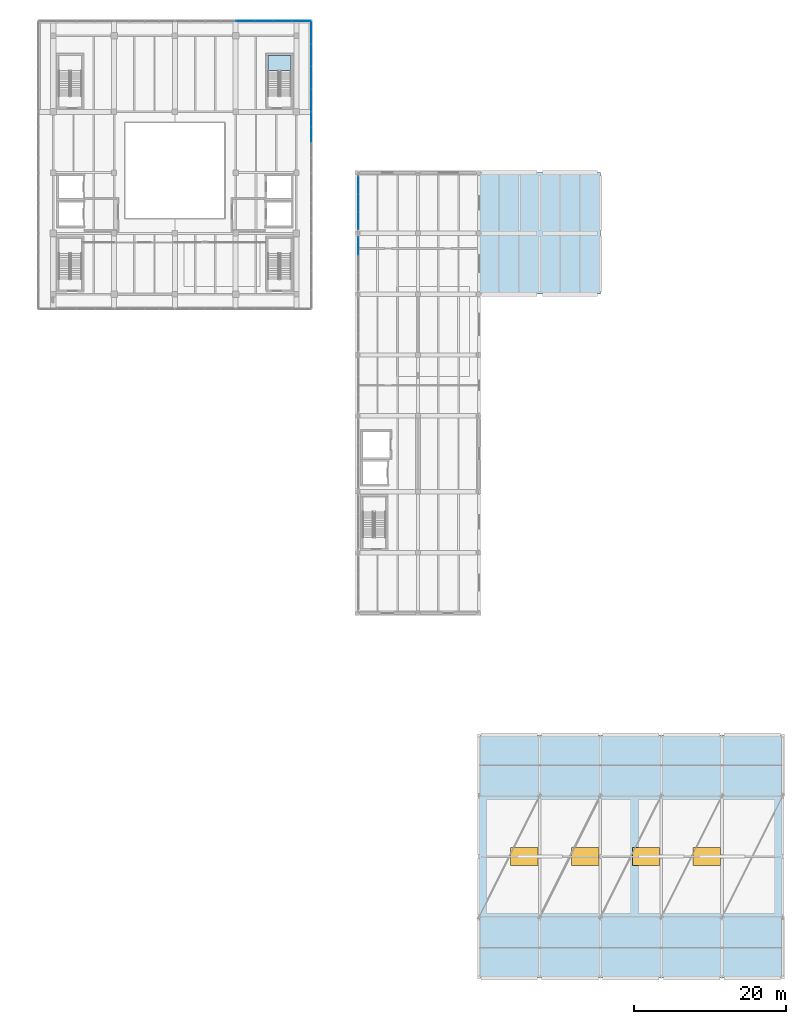
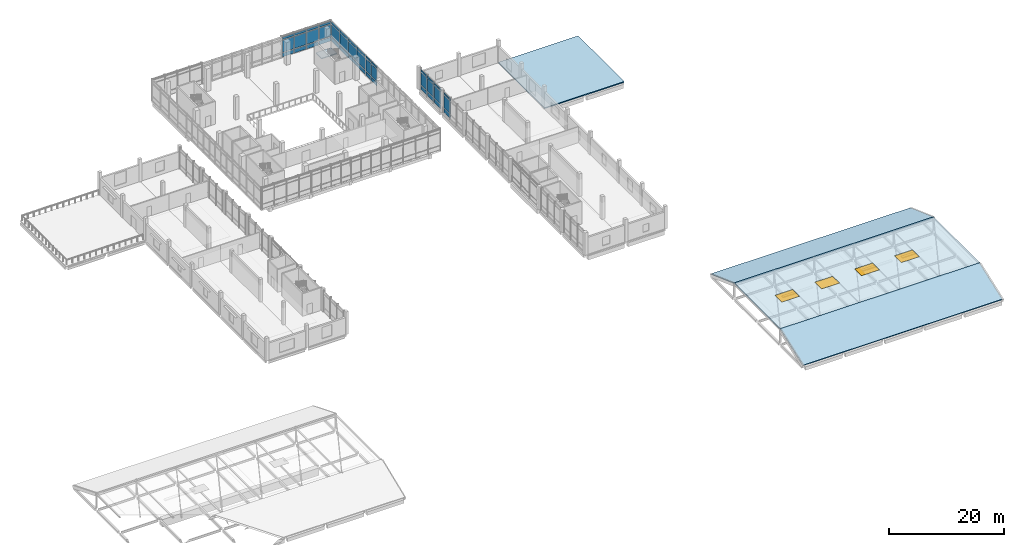
# One storey, part 30 of 47: 42 plates, 5 slabs, 4 windows, 4 openings, 6 elements without a shape of their own.
"""IFC4 building model written with IfcOpenShell, lengths in metres."""

from ifc_helpers import new_model, si_unit, direction, frame, origin, origin_2d, place, context, subcontext, project, spatial, polyline, rectangle, outline, extrude, material, layer, layer_set, type_object, element, fill, aggregate, save


model = new_model("IFC4")

# Units and contexts
model_context = context("Model", 3, precision=1e-05, world=origin(), true_north=direction((0.0, 1.0)))
body_context = subcontext(model_context, "Body", "Model", "MODEL_VIEW")
ifc_project = project(units=[si_unit("LENGTHUNIT", "METRE"), si_unit("AREAUNIT", "SQUARE_METRE"), si_unit("VOLUMEUNIT", "CUBIC_METRE"), si_unit("PLANEANGLEUNIT", "RADIAN"), si_unit("MASSUNIT", "GRAM", prefix="KILO")], contexts=[model_context])

# Site, building, storey
site_placement = place(None, origin())
site = spatial("IfcSite", under=ifc_project, at=site_placement, CompositionType="ELEMENT")
building_placement = place(site_placement, origin())
building = spatial("IfcBuilding", under=site, at=building_placement, Name="Pecanmere Concourse Central Library", CompositionType="ELEMENT")
storey_placement = place(building_placement, frame((0.0, 0.0, 15.300048828125)))
storey = spatial("IfcBuildingStorey", under=building, at=storey_placement, Name="L04", CompositionType="ELEMENT", Elevation=15.300048828125)

# Curtain wall, plates
ifc_material_1 = material(Name="Anodized bronze aluminium alloy 6063-T6", Category="aluminium")
curtain_wall_type_1 = type_object("IfcCurtainWallType", Name="CW_PLUMB_BANDED", PredefinedType="USERDEFINED", material=ifc_material_1)
curtain_wall_1_placement = place(storey_placement, origin())
curtain_wall_1 = element("IfcCurtainWall", 1, at=curtain_wall_1_placement, inside=storey, type_object=curtain_wall_type_1, Name="Unitised Curtain Wall CW-02 L04-038", ObjectType="UNITISED CURTAIN WALL", PredefinedType="USERDEFINED")
ifc_material_2 = material(Name="White ceramic-fritted insulated spandrel glazing", Category="glass")
ifc_layer_1 = layer(ifc_material_2, 0.053955078125, Name="CWP_SPN_54")
ifc_layer_set_1 = layer_set([ifc_layer_1], Name="White ceramic-fritted insulated spandrel glazing")
plate_type_1 = type_object("IfcPlateType", Name="CWP_SPN_54", PredefinedType="CURTAIN_PANEL", material=ifc_layer_set_1)
plate_1_placement = place(storey_placement, frame((104.665771484375, 125.96142578125, 0.159912109375), z_axis=(0.0, 0.0, 1.0), x_axis=(-1.0, 0.0, 0.0)))
plate_1 = element("IfcPlate", 2, at=plate_1_placement, type_object=plate_type_1, Name="CW-02 Spandrel Panel 1.1", PredefinedType="CURTAIN_PANEL", context=body_context, shape_type="SweptSolid", body=[
    extrude(rectangle(XDim=2.381591796875, YDim=0.035888671875, at=origin_2d()), origin(), (0.0, 0.0, 1.0), 0.81005859375),
])
plate_2_placement = place(storey_placement, frame((102.202880859375, 125.96142578125, 0.159912109375), z_axis=(0.0, 0.0, 1.0), x_axis=(-1.0, 0.0, 0.0)))
plate_2 = element("IfcPlate", 3, at=plate_2_placement, type_object=plate_type_1, Name="CW-02 Spandrel Panel 2.1", PredefinedType="CURTAIN_PANEL", context=body_context, shape_type="SweptSolid", body=[
    extrude(rectangle(XDim=2.4140625, YDim=0.035888671875, at=origin_2d()), origin(), (0.0, 0.0, 1.0), 0.81005859375),
])
plate_3_placement = place(storey_placement, frame((99.7236328125, 125.96142578125, 0.159912109375), z_axis=(0.0, 0.0, 1.0), x_axis=(-1.0, 0.0, 0.0)))
plate_3 = element("IfcPlate", 4, at=plate_3_placement, type_object=plate_type_1, Name="CW-02 Spandrel Panel 3.1", PredefinedType="CURTAIN_PANEL", context=body_context, shape_type="SweptSolid", body=[
    extrude(rectangle(XDim=2.4140625, YDim=0.035888671875, at=origin_2d()), origin(), (0.0, 0.0, 1.0), 0.81005859375),
])
plate_4_placement = place(storey_placement, frame((97.2607421875, 125.96142578125, 0.159912109375), z_axis=(0.0, 0.0, 1.0), x_axis=(-1.0, 0.0, 0.0)))
plate_4 = element("IfcPlate", 5, at=plate_4_placement, type_object=plate_type_1, Name="CW-02 Spandrel Panel 4.1", PredefinedType="CURTAIN_PANEL", context=body_context, shape_type="SweptSolid", body=[
    extrude(rectangle(XDim=2.381591796875, YDim=0.035888671875, at=origin_2d()), origin(), (0.0, 0.0, 1.0), 0.81005859375),
])

curtain_wall_2_placement = place(storey_placement, origin())
curtain_wall_2 = element("IfcCurtainWall", 6, at=curtain_wall_2_placement, inside=storey, type_object=curtain_wall_type_1, Name="Unitised Curtain Wall CW-02 L04-048", ObjectType="UNITISED CURTAIN WALL", PredefinedType="USERDEFINED")
plate_5_placement = place(storey_placement, frame((105.96142578125, 110.998779296875, 0.159912109375), z_axis=(0.0, 0.0, 1.0), x_axis=(0.0, 1.0, 0.0)))
plate_5 = element("IfcPlate", 7, at=plate_5_placement, type_object=plate_type_1, Name="CW-02 Spandrel Panel 3.1", PredefinedType="CURTAIN_PANEL", context=body_context, shape_type="SweptSolid", body=[
    extrude(rectangle(XDim=1.9326171875, YDim=0.035888671875, at=origin_2d()), origin(), (0.0, 0.0, 1.0), 0.81005859375),
])
plate_6_placement = place(storey_placement, frame((105.96142578125, 112.97998046875, 0.159912109375), z_axis=(0.0, 0.0, 1.0), x_axis=(0.0, 1.0, 0.0)))
plate_6 = element("IfcPlate", 8, at=plate_6_placement, type_object=plate_type_1, Name="CW-02 Spandrel Panel 4.1", PredefinedType="CURTAIN_PANEL", context=body_context, shape_type="SweptSolid", body=[
    extrude(rectangle(XDim=1.89990234375, YDim=0.035888671875, at=origin_2d()), origin(), (0.0, 0.0, 1.0), 0.81005859375),
])

curtain_wall_3_placement = place(storey_placement, origin())
curtain_wall_3 = element("IfcCurtainWall", 9, at=curtain_wall_3_placement, inside=storey, type_object=curtain_wall_type_1, Name="Unitised Curtain Wall CW-02 L04-049", ObjectType="UNITISED CURTAIN WALL", PredefinedType="USERDEFINED")
plate_7_placement = place(storey_placement, frame((105.96142578125, 115.5107421875, 0.159912109375), z_axis=(0.0, 0.0, 1.0), x_axis=(0.0, 1.0, 0.0)))
plate_7 = element("IfcPlate", 10, at=plate_7_placement, type_object=plate_type_1, Name="CW-02 Spandrel Panel 1.1", PredefinedType="CURTAIN_PANEL", context=body_context, shape_type="SweptSolid", body=[
    extrude(rectangle(XDim=2.881591796875, YDim=0.035888671875, at=origin_2d()), origin(), (0.0, 0.0, 1.0), 0.81005859375),
])
plate_8_placement = place(storey_placement, frame((105.96142578125, 118.4736328125, 0.159912109375), z_axis=(0.0, 0.0, 1.0), x_axis=(0.0, 1.0, 0.0)))
plate_8 = element("IfcPlate", 11, at=plate_8_placement, type_object=plate_type_1, Name="CW-02 Spandrel Panel 2.1", PredefinedType="CURTAIN_PANEL", context=body_context, shape_type="SweptSolid", body=[
    extrude(rectangle(XDim=2.9140625, YDim=0.035888671875, at=origin_2d()), origin(), (0.0, 0.0, 1.0), 0.81005859375),
])
plate_9_placement = place(storey_placement, frame((105.96142578125, 121.452880859375, 0.159912109375), z_axis=(0.0, 0.0, 1.0), x_axis=(0.0, 1.0, 0.0)))
plate_9 = element("IfcPlate", 12, at=plate_9_placement, type_object=plate_type_1, Name="CW-02 Spandrel Panel 3.1", PredefinedType="CURTAIN_PANEL", context=body_context, shape_type="SweptSolid", body=[
    extrude(rectangle(XDim=2.9140625, YDim=0.035888671875, at=origin_2d()), origin(), (0.0, 0.0, 1.0), 0.81005859375),
])
plate_10_placement = place(storey_placement, frame((105.96142578125, 124.415771484375, 0.159912109375), z_axis=(0.0, 0.0, 1.0), x_axis=(0.0, 1.0, 0.0)))
plate_10 = element("IfcPlate", 13, at=plate_10_placement, type_object=plate_type_1, Name="CW-02 Spandrel Panel 4.1", PredefinedType="CURTAIN_PANEL", context=body_context, shape_type="SweptSolid", body=[
    extrude(rectangle(XDim=2.881591796875, YDim=0.035888671875, at=origin_2d()), origin(), (0.0, 0.0, 1.0), 0.81005859375),
])

# Curtain wall, plate
ifc_material_3 = material(Name="Clear anodized aluminium alloy 6063-T6", Category="aluminium")
curtain_wall_type_2 = type_object("IfcCurtainWallType", Name="CW_CLOISTER_GLAZ", PredefinedType="USERDEFINED", material=ifc_material_3)
curtain_wall_4_placement = place(storey_placement, origin())
curtain_wall_4 = element("IfcCurtainWall", 14, at=curtain_wall_4_placement, inside=storey, type_object=curtain_wall_type_2, Name="Unitised Curtain Wall CW-04 L04-149", ObjectType="UNITISED CURTAIN WALL", PredefinedType="USERDEFINED")
plate_11_placement = place(storey_placement, frame((112.14990234375, 96.331787109375, 0.139892578125), z_axis=(0.0, 0.0, 1.0), x_axis=(0.0, -1.0, 0.0)))
plate_11 = element("IfcPlate", 15, at=plate_11_placement, type_object=plate_type_1, Name="CW-04 Spandrel Panel 1.1", PredefinedType="CURTAIN_PANEL", context=body_context, shape_type="SweptSolid", body=[
    extrude(rectangle(XDim=2.256591796875, YDim=0.035888671875, at=origin_2d()), origin(), (0.0, 0.0, 1.0), 0.7900390625),
])

# Curtain wall, plates
curtain_wall_5_placement = place(storey_placement, origin())
curtain_wall_5 = element("IfcCurtainWall", 16, at=curtain_wall_5_placement, inside=storey, type_object=curtain_wall_type_2, Name="Unitised Curtain Wall CW-04 L04-151", ObjectType="UNITISED CURTAIN WALL", PredefinedType="USERDEFINED")
plate_12_placement = place(storey_placement, frame((112.14990234375, 104.331787109375, 0.139892578125), z_axis=(0.0, 0.0, 1.0), x_axis=(0.0, -1.0, 0.0)))
plate_12 = element("IfcPlate", 17, at=plate_12_placement, type_object=plate_type_1, Name="CW-04 Spandrel Panel 1.1", PredefinedType="CURTAIN_PANEL", context=body_context, shape_type="SweptSolid", body=[
    extrude(rectangle(XDim=2.256591796875, YDim=0.035888671875, at=origin_2d()), origin(), (0.0, 0.0, 1.0), 0.7900390625),
])
plate_13_placement = place(storey_placement, frame((112.14990234375, 102.0, 0.139892578125), z_axis=(0.0, 0.0, 1.0), x_axis=(0.0, -1.0, 0.0)))
plate_13 = element("IfcPlate", 18, at=plate_13_placement, type_object=plate_type_1, Name="CW-04 Spandrel Panel 2.1", PredefinedType="CURTAIN_PANEL", context=body_context, shape_type="SweptSolid", body=[
    extrude(rectangle(XDim=2.28662109375, YDim=0.035888671875, at=origin_2d()), origin(), (0.0, 0.0, 1.0), 0.7900390625),
])
plate_14_placement = place(storey_placement, frame((112.14990234375, 99.668212890625, 0.139892578125), z_axis=(0.0, 0.0, 1.0), x_axis=(0.0, -1.0, 0.0)))
plate_14 = element("IfcPlate", 19, at=plate_14_placement, type_object=plate_type_1, Name="CW-04 Spandrel Panel 3.1", PredefinedType="CURTAIN_PANEL", context=body_context, shape_type="SweptSolid", body=[
    extrude(rectangle(XDim=2.256591796875, YDim=0.035888671875, at=origin_2d()), origin(), (0.0, 0.0, 1.0), 0.7900390625),
])

# Plate
ifc_material_4 = material(Name="Low-iron clear insulated glazing", Category="glass")
ifc_layer_2 = layer(ifc_material_4, 0.035888671875, Name="CWP_VIS_36")
ifc_layer_set_2 = layer_set([ifc_layer_2], Name="Low-iron clear insulated glazing")
plate_type_2 = type_object("IfcPlateType", Name="CWP_VIS_36", PredefinedType="CURTAIN_PANEL", material=ifc_layer_set_2)
plate_15_placement = place(storey_placement, frame((104.665771484375, 125.96142578125, 1.1298828125), z_axis=(0.0, 0.0, 1.0), x_axis=(-1.0, 0.0, 0.0)))
plate_15 = element("IfcPlate", 20, at=plate_15_placement, type_object=plate_type_2, Name="CW-02 Vision Panel 1.2", PredefinedType="CURTAIN_PANEL", context=body_context, shape_type="SweptSolid", body=[
    extrude(rectangle(XDim=2.381591796875, YDim=0.035888671875, at=origin_2d()), origin(), (0.0, 0.0, 1.0), 2.56005859375),
])

plate_16_placement = place(storey_placement, frame((104.665771484375, 125.96142578125, 3.85009765625), z_axis=(0.0, 0.0, 1.0), x_axis=(-1.0, 0.0, 0.0)))
plate_16 = element("IfcPlate", 21, at=plate_16_placement, type_object=plate_type_2, Name="CW-02 Vision Panel 1.3", PredefinedType="CURTAIN_PANEL", context=body_context, shape_type="SweptSolid", body=[
    extrude(rectangle(XDim=2.381591796875, YDim=0.035888671875, at=origin_2d()), origin(), (0.0, 0.0, 1.0), 0.510009765625),
])

plate_17_placement = place(storey_placement, frame((102.202880859375, 125.96142578125, 1.1298828125), z_axis=(0.0, 0.0, 1.0), x_axis=(-1.0, 0.0, 0.0)))
plate_17 = element("IfcPlate", 22, at=plate_17_placement, type_object=plate_type_2, Name="CW-02 Vision Panel 2.2", PredefinedType="CURTAIN_PANEL", context=body_context, shape_type="SweptSolid", body=[
    extrude(rectangle(XDim=2.4140625, YDim=0.035888671875, at=origin_2d()), origin(), (0.0, 0.0, 1.0), 2.56005859375),
])

plate_18_placement = place(storey_placement, frame((102.202880859375, 125.96142578125, 3.85009765625), z_axis=(0.0, 0.0, 1.0), x_axis=(-1.0, 0.0, 0.0)))
plate_18 = element("IfcPlate", 23, at=plate_18_placement, type_object=plate_type_2, Name="CW-02 Vision Panel 2.3", PredefinedType="CURTAIN_PANEL", context=body_context, shape_type="SweptSolid", body=[
    extrude(rectangle(XDim=2.4140625, YDim=0.035888671875, at=origin_2d()), origin(), (0.0, 0.0, 1.0), 0.510009765625),
])

plate_19_placement = place(storey_placement, frame((99.7236328125, 125.96142578125, 1.1298828125), z_axis=(0.0, 0.0, 1.0), x_axis=(-1.0, 0.0, 0.0)))
plate_19 = element("IfcPlate", 24, at=plate_19_placement, type_object=plate_type_2, Name="CW-02 Vision Panel 3.2", PredefinedType="CURTAIN_PANEL", context=body_context, shape_type="SweptSolid", body=[
    extrude(rectangle(XDim=2.4140625, YDim=0.035888671875, at=origin_2d()), origin(), (0.0, 0.0, 1.0), 2.56005859375),
])

plate_20_placement = place(storey_placement, frame((99.7236328125, 125.96142578125, 3.85009765625), z_axis=(0.0, 0.0, 1.0), x_axis=(-1.0, 0.0, 0.0)))
plate_20 = element("IfcPlate", 25, at=plate_20_placement, type_object=plate_type_2, Name="CW-02 Vision Panel 3.3", PredefinedType="CURTAIN_PANEL", context=body_context, shape_type="SweptSolid", body=[
    extrude(rectangle(XDim=2.4140625, YDim=0.035888671875, at=origin_2d()), origin(), (0.0, 0.0, 1.0), 0.510009765625),
])

plate_21_placement = place(storey_placement, frame((97.2607421875, 125.96142578125, 1.1298828125), z_axis=(0.0, 0.0, 1.0), x_axis=(-1.0, 0.0, 0.0)))
plate_21 = element("IfcPlate", 26, at=plate_21_placement, type_object=plate_type_2, Name="CW-02 Vision Panel 4.2", PredefinedType="CURTAIN_PANEL", context=body_context, shape_type="SweptSolid", body=[
    extrude(rectangle(XDim=2.381591796875, YDim=0.035888671875, at=origin_2d()), origin(), (0.0, 0.0, 1.0), 2.56005859375),
])

plate_22_placement = place(storey_placement, frame((97.2607421875, 125.96142578125, 3.85009765625), z_axis=(0.0, 0.0, 1.0), x_axis=(-1.0, 0.0, 0.0)))
plate_22 = element("IfcPlate", 27, at=plate_22_placement, type_object=plate_type_2, Name="CW-02 Vision Panel 4.3", PredefinedType="CURTAIN_PANEL", context=body_context, shape_type="SweptSolid", body=[
    extrude(rectangle(XDim=2.381591796875, YDim=0.035888671875, at=origin_2d()), origin(), (0.0, 0.0, 1.0), 0.510009765625),
])

aggregate(curtain_wall_1, [plate_1, plate_15, plate_16, plate_2, plate_17, plate_18, plate_3, plate_19, plate_20, plate_4, plate_21, plate_22])

plate_23_placement = place(storey_placement, frame((105.96142578125, 110.998779296875, 1.1298828125), z_axis=(0.0, 0.0, 1.0), x_axis=(0.0, 1.0, 0.0)))
plate_23 = element("IfcPlate", 28, at=plate_23_placement, type_object=plate_type_2, Name="CW-02 Vision Panel 3.2", PredefinedType="CURTAIN_PANEL", context=body_context, shape_type="SweptSolid", body=[
    extrude(rectangle(XDim=1.9326171875, YDim=0.035888671875, at=origin_2d()), origin(), (0.0, 0.0, 1.0), 2.56005859375),
])

plate_24_placement = place(storey_placement, frame((105.96142578125, 110.998779296875, 3.85009765625), z_axis=(0.0, 0.0, 1.0), x_axis=(0.0, 1.0, 0.0)))
plate_24 = element("IfcPlate", 29, at=plate_24_placement, type_object=plate_type_2, Name="CW-02 Vision Panel 3.3", PredefinedType="CURTAIN_PANEL", context=body_context, shape_type="SweptSolid", body=[
    extrude(rectangle(XDim=1.9326171875, YDim=0.035888671875, at=origin_2d()), origin(), (0.0, 0.0, 1.0), 0.510009765625),
])

plate_25_placement = place(storey_placement, frame((105.96142578125, 112.97998046875, 1.1298828125), z_axis=(0.0, 0.0, 1.0), x_axis=(0.0, 1.0, 0.0)))
plate_25 = element("IfcPlate", 30, at=plate_25_placement, type_object=plate_type_2, Name="CW-02 Vision Panel 4.2", PredefinedType="CURTAIN_PANEL", context=body_context, shape_type="SweptSolid", body=[
    extrude(rectangle(XDim=1.89990234375, YDim=0.035888671875, at=origin_2d()), origin(), (0.0, 0.0, 1.0), 2.56005859375),
])

plate_26_placement = place(storey_placement, frame((105.96142578125, 112.97998046875, 3.85009765625), z_axis=(0.0, 0.0, 1.0), x_axis=(0.0, 1.0, 0.0)))
plate_26 = element("IfcPlate", 31, at=plate_26_placement, type_object=plate_type_2, Name="CW-02 Vision Panel 4.3", PredefinedType="CURTAIN_PANEL", context=body_context, shape_type="SweptSolid", body=[
    extrude(rectangle(XDim=1.89990234375, YDim=0.035888671875, at=origin_2d()), origin(), (0.0, 0.0, 1.0), 0.510009765625),
])

aggregate(curtain_wall_2, [plate_5, plate_23, plate_24, plate_6, plate_25, plate_26])

plate_27_placement = place(storey_placement, frame((105.96142578125, 115.5107421875, 1.1298828125), z_axis=(0.0, 0.0, 1.0), x_axis=(0.0, 1.0, 0.0)))
plate_27 = element("IfcPlate", 32, at=plate_27_placement, type_object=plate_type_2, Name="CW-02 Vision Panel 1.2", PredefinedType="CURTAIN_PANEL", context=body_context, shape_type="SweptSolid", body=[
    extrude(rectangle(XDim=2.881591796875, YDim=0.035888671875, at=origin_2d()), origin(), (0.0, 0.0, 1.0), 2.56005859375),
])

plate_28_placement = place(storey_placement, frame((105.96142578125, 115.5107421875, 3.85009765625), z_axis=(0.0, 0.0, 1.0), x_axis=(0.0, 1.0, 0.0)))
plate_28 = element("IfcPlate", 33, at=plate_28_placement, type_object=plate_type_2, Name="CW-02 Vision Panel 1.3", PredefinedType="CURTAIN_PANEL", context=body_context, shape_type="SweptSolid", body=[
    extrude(rectangle(XDim=2.881591796875, YDim=0.035888671875, at=origin_2d()), origin(), (0.0, 0.0, 1.0), 0.510009765625),
])

plate_29_placement = place(storey_placement, frame((105.96142578125, 118.4736328125, 1.1298828125), z_axis=(0.0, 0.0, 1.0), x_axis=(0.0, 1.0, 0.0)))
plate_29 = element("IfcPlate", 34, at=plate_29_placement, type_object=plate_type_2, Name="CW-02 Vision Panel 2.2", PredefinedType="CURTAIN_PANEL", context=body_context, shape_type="SweptSolid", body=[
    extrude(rectangle(XDim=2.9140625, YDim=0.035888671875, at=origin_2d()), origin(), (0.0, 0.0, 1.0), 2.56005859375),
])

plate_30_placement = place(storey_placement, frame((105.96142578125, 118.4736328125, 3.85009765625), z_axis=(0.0, 0.0, 1.0), x_axis=(0.0, 1.0, 0.0)))
plate_30 = element("IfcPlate", 35, at=plate_30_placement, type_object=plate_type_2, Name="CW-02 Vision Panel 2.3", PredefinedType="CURTAIN_PANEL", context=body_context, shape_type="SweptSolid", body=[
    extrude(rectangle(XDim=2.9140625, YDim=0.035888671875, at=origin_2d()), origin(), (0.0, 0.0, 1.0), 0.510009765625),
])

plate_31_placement = place(storey_placement, frame((105.96142578125, 121.452880859375, 1.1298828125), z_axis=(0.0, 0.0, 1.0), x_axis=(0.0, 1.0, 0.0)))
plate_31 = element("IfcPlate", 36, at=plate_31_placement, type_object=plate_type_2, Name="CW-02 Vision Panel 3.2", PredefinedType="CURTAIN_PANEL", context=body_context, shape_type="SweptSolid", body=[
    extrude(rectangle(XDim=2.9140625, YDim=0.035888671875, at=origin_2d()), origin(), (0.0, 0.0, 1.0), 2.56005859375),
])

plate_32_placement = place(storey_placement, frame((105.96142578125, 121.452880859375, 3.85009765625), z_axis=(0.0, 0.0, 1.0), x_axis=(0.0, 1.0, 0.0)))
plate_32 = element("IfcPlate", 37, at=plate_32_placement, type_object=plate_type_2, Name="CW-02 Vision Panel 3.3", PredefinedType="CURTAIN_PANEL", context=body_context, shape_type="SweptSolid", body=[
    extrude(rectangle(XDim=2.9140625, YDim=0.035888671875, at=origin_2d()), origin(), (0.0, 0.0, 1.0), 0.510009765625),
])

plate_33_placement = place(storey_placement, frame((105.96142578125, 124.415771484375, 1.1298828125), z_axis=(0.0, 0.0, 1.0), x_axis=(0.0, 1.0, 0.0)))
plate_33 = element("IfcPlate", 38, at=plate_33_placement, type_object=plate_type_2, Name="CW-02 Vision Panel 4.2", PredefinedType="CURTAIN_PANEL", context=body_context, shape_type="SweptSolid", body=[
    extrude(rectangle(XDim=2.881591796875, YDim=0.035888671875, at=origin_2d()), origin(), (0.0, 0.0, 1.0), 2.56005859375),
])

plate_34_placement = place(storey_placement, frame((105.96142578125, 124.415771484375, 3.85009765625), z_axis=(0.0, 0.0, 1.0), x_axis=(0.0, 1.0, 0.0)))
plate_34 = element("IfcPlate", 39, at=plate_34_placement, type_object=plate_type_2, Name="CW-02 Vision Panel 4.3", PredefinedType="CURTAIN_PANEL", context=body_context, shape_type="SweptSolid", body=[
    extrude(rectangle(XDim=2.881591796875, YDim=0.035888671875, at=origin_2d()), origin(), (0.0, 0.0, 1.0), 0.510009765625),
])

aggregate(curtain_wall_3, [plate_7, plate_27, plate_28, plate_8, plate_29, plate_30, plate_9, plate_31, plate_32, plate_10, plate_33, plate_34])

plate_35_placement = place(storey_placement, frame((112.14990234375, 96.331787109375, 1.06982421875), z_axis=(0.0, 0.0, 1.0), x_axis=(0.0, -1.0, 0.0)))
plate_35 = element("IfcPlate", 40, at=plate_35_placement, type_object=plate_type_2, Name="CW-04 Vision Panel 1.2", PredefinedType="CURTAIN_PANEL", context=body_context, shape_type="SweptSolid", body=[
    extrude(rectangle(XDim=2.256591796875, YDim=0.035888671875, at=origin_2d()), origin(), (0.0, 0.0, 1.0), 2.679931640625),
])

plate_36_placement = place(storey_placement, frame((112.14990234375, 96.331787109375, 3.89013671875), z_axis=(0.0, 0.0, 1.0), x_axis=(0.0, -1.0, 0.0)))
plate_36 = element("IfcPlate", 41, at=plate_36_placement, type_object=plate_type_2, Name="CW-04 Vision Panel 1.3", PredefinedType="CURTAIN_PANEL", context=body_context, shape_type="SweptSolid", body=[
    extrude(rectangle(XDim=2.256591796875, YDim=0.035888671875, at=origin_2d()), origin(), (0.0, 0.0, 1.0), 0.489990234375),
])

aggregate(curtain_wall_4, [plate_11, plate_35, plate_36])

plate_37_placement = place(storey_placement, frame((112.14990234375, 104.331787109375, 1.06982421875), z_axis=(0.0, 0.0, 1.0), x_axis=(0.0, -1.0, 0.0)))
plate_37 = element("IfcPlate", 42, at=plate_37_placement, type_object=plate_type_2, Name="CW-04 Vision Panel 1.2", PredefinedType="CURTAIN_PANEL", context=body_context, shape_type="SweptSolid", body=[
    extrude(rectangle(XDim=2.256591796875, YDim=0.035888671875, at=origin_2d()), origin(), (0.0, 0.0, 1.0), 2.679931640625),
])

plate_38_placement = place(storey_placement, frame((112.14990234375, 104.331787109375, 3.89013671875), z_axis=(0.0, 0.0, 1.0), x_axis=(0.0, -1.0, 0.0)))
plate_38 = element("IfcPlate", 43, at=plate_38_placement, type_object=plate_type_2, Name="CW-04 Vision Panel 1.3", PredefinedType="CURTAIN_PANEL", context=body_context, shape_type="SweptSolid", body=[
    extrude(rectangle(XDim=2.256591796875, YDim=0.035888671875, at=origin_2d()), origin(), (0.0, 0.0, 1.0), 0.489990234375),
])

plate_39_placement = place(storey_placement, frame((112.14990234375, 102.0, 1.06982421875), z_axis=(0.0, 0.0, 1.0), x_axis=(0.0, -1.0, 0.0)))
plate_39 = element("IfcPlate", 44, at=plate_39_placement, type_object=plate_type_2, Name="CW-04 Vision Panel 2.2", PredefinedType="CURTAIN_PANEL", context=body_context, shape_type="SweptSolid", body=[
    extrude(rectangle(XDim=2.28662109375, YDim=0.035888671875, at=origin_2d()), origin(), (0.0, 0.0, 1.0), 2.679931640625),
])

plate_40_placement = place(storey_placement, frame((112.14990234375, 102.0, 3.89013671875), z_axis=(0.0, 0.0, 1.0), x_axis=(0.0, -1.0, 0.0)))
plate_40 = element("IfcPlate", 45, at=plate_40_placement, type_object=plate_type_2, Name="CW-04 Vision Panel 2.3", PredefinedType="CURTAIN_PANEL", context=body_context, shape_type="SweptSolid", body=[
    extrude(rectangle(XDim=2.28662109375, YDim=0.035888671875, at=origin_2d()), origin(), (0.0, 0.0, 1.0), 0.489990234375),
])

plate_41_placement = place(storey_placement, frame((112.14990234375, 99.668212890625, 1.06982421875), z_axis=(0.0, 0.0, 1.0), x_axis=(0.0, -1.0, 0.0)))
plate_41 = element("IfcPlate", 46, at=plate_41_placement, type_object=plate_type_2, Name="CW-04 Vision Panel 3.2", PredefinedType="CURTAIN_PANEL", context=body_context, shape_type="SweptSolid", body=[
    extrude(rectangle(XDim=2.256591796875, YDim=0.035888671875, at=origin_2d()), origin(), (0.0, 0.0, 1.0), 2.679931640625),
])

plate_42_placement = place(storey_placement, frame((112.14990234375, 99.668212890625, 3.89013671875), z_axis=(0.0, 0.0, 1.0), x_axis=(0.0, -1.0, 0.0)))
plate_42 = element("IfcPlate", 47, at=plate_42_placement, type_object=plate_type_2, Name="CW-04 Vision Panel 3.3", PredefinedType="CURTAIN_PANEL", context=body_context, shape_type="SweptSolid", body=[
    extrude(rectangle(XDim=2.256591796875, YDim=0.035888671875, at=origin_2d()), origin(), (0.0, 0.0, 1.0), 0.489990234375),
])

aggregate(curtain_wall_5, [plate_12, plate_37, plate_38, plate_13, plate_39, plate_40, plate_14, plate_41, plate_42])

# Stair, slab
ifc_material_5 = material(Name="Concrete C35/45", Category="concrete")
stair_type = type_object("IfcStairType", Name="STAIR_TYPE_ST-04-1846", PredefinedType="USERDEFINED", material=ifc_material_5)
stair_placement = place(storey_placement, origin())
stair = element("IfcStair", 48, at=stair_placement, inside=storey, type_object=stair_type, Name="L04 Protected Stair ST-04", ObjectType="TWO_RETURN_STAIR", PredefinedType="USERDEFINED")
ifc_material_6 = material(Name="Concrete C35/45", Category="concrete")
ifc_layer_3 = layer(ifc_material_6, 0.199951171875, Name="SLAB_LANDING_200")
ifc_layer_set_3 = layer_set([ifc_layer_3], Name="Concrete C35/45")
slab_type_1 = type_object("IfcSlabType", Name="SLAB_LANDING_200", PredefinedType="LANDING", material=ifc_layer_set_3)
slab_1_placement = place(storey_placement, frame((0.0, 0.0, 2.199951171875)))
slab_1 = element("IfcSlab", 49, at=slab_1_placement, type_object=slab_type_1, Name="ST-04-1846 landing 1", PredefinedType="LANDING", context=body_context, shape_type="SweptSolid", body=[
    extrude(outline(polyline([(103.300048828125, 119.409912109375), (103.300048828125, 121.419921875), (100.239990234375, 121.419921875), (100.239990234375, 119.409912109375), (103.300048828125, 119.409912109375)])), origin(), (0.0, 0.0, 1.0), 0.199951171875),
])
aggregate(stair, [slab_1])

# Slabs
ifc_material_7 = material(Name="Concrete C35/45", Category="concrete")
ifc_layer_4 = layer(ifc_material_7, 0.18994140625, Name="SLAB_ROOF_190")
ifc_layer_set_4 = layer_set([ifc_layer_4], Name="Concrete C35/45")
slab_type_2 = type_object("IfcSlabType", Name="SLAB_ROOF_190", PredefinedType="ROOF", material=ifc_layer_set_4)
for number, where, z_axis, x_axis, name in (
    (50, (128.0, 0.0, 0.0), (0.0, -0.342030863906, 0.939688718745), (1.0, 0.0, 0.0), "Children Wing South Pitched Roof Deck"),
    (51, (168.0, 32.0, 0.0), (0.0, 0.342030863906, 0.939688718745), (-1.0, 0.0, 0.0), "Children Wing North Pitched Roof Deck"),
):
    element("IfcSlab", number, at=place(storey_placement, frame(where, z_axis=z_axis, x_axis=x_axis)), inside=storey, type_object=slab_type_2, Name=name, PredefinedType="ROOF", context=body_context, shape_type="SweptSolid", body=[
        extrude(outline(polyline([(0.0, 0.0), (40.0, 0.0), (40.0, 8.513457531647278), (0.0, 8.513457531647278), (0.0, 0.0)])), origin(), (0.0, 0.0, -1.0), 0.18994140625),
    ])
ifc_material_8 = material(Name="Concrete C35/45", Category="concrete")
ifc_layer_5 = layer(ifc_material_8, 0.215087890625, Name="SLAB_ROOF_215")
ifc_layer_set_5 = layer_set([ifc_layer_5], Name="Concrete C35/45")
slab_type_3 = type_object("IfcSlabType", Name="SLAB_ROOF_215", PredefinedType="ROOF", material=ifc_layer_set_5)
slab_2_placement = place(storey_placement, frame((0.0, 0.0, -0.215087890625)))
element("IfcSlab", 52, at=slab_2_placement, inside=storey, type_object=slab_type_3, Name="Wing Roof Slab ROOF_V2_NORTH_L04", PredefinedType="ROOF", context=body_context, shape_type="SweptSolid", body=[
    extrude(outline(polyline([(144.0, 90.0), (144.0, 106.0), (128.0, 106.0), (128.0, 90.0), (144.0, 90.0)])), origin(), (0.0, 0.0, 1.0), 0.215087890625),
])

# Slab, openings, windows
slab_3_placement = place(storey_placement, frame((0.0, 0.0, 2.69677734375)))
slab_3 = element("IfcSlab", 53, at=slab_3_placement, inside=storey, type_object=slab_type_3, Name="Children Wing Skylight Curb Roof Deck", PredefinedType="ROOF", context=body_context, shape_type="SweptSolid", body=[
    extrude(outline(polyline([(128.0, 8.0), (168.0, 8.0), (168.0, 24.0), (128.0, 24.0), (128.0, 8.0)])), origin(), (0.0, 0.0, 1.0), 0.215087890625),
])
opening_1_placement = place(slab_3_placement, frame((134.0, 16.0, 0.0)))
opening_1 = element("IfcOpeningElement", 54, at=opening_1_placement, cuts=slab_3, Name="Opening SK-01", PredefinedType="OPENING", context=body_context, shape_type="SweptSolid", body=[
    extrude(rectangle(XDim=3.60009765625, YDim=2.39990234375, at=origin_2d()), origin(), (0.0, 0.0, 1.0), 0.215087890625),
])
opening_2_placement = place(slab_3_placement, frame((142.0, 16.0, 0.0)))
opening_2 = element("IfcOpeningElement", 55, at=opening_2_placement, cuts=slab_3, Name="Opening SK-01", PredefinedType="OPENING", context=body_context, shape_type="SweptSolid", body=[
    extrude(rectangle(XDim=3.60009765625, YDim=2.39990234375, at=origin_2d()), origin(), (0.0, 0.0, 1.0), 0.215087890625),
])
opening_3_placement = place(slab_3_placement, frame((150.0, 16.0, 0.0)))
opening_3 = element("IfcOpeningElement", 56, at=opening_3_placement, cuts=slab_3, Name="Opening SK-01", PredefinedType="OPENING", context=body_context, shape_type="SweptSolid", body=[
    extrude(rectangle(XDim=3.60009765625, YDim=2.39990234375, at=origin_2d()), origin(), (0.0, 0.0, 1.0), 0.215087890625),
])
opening_4_placement = place(slab_3_placement, frame((158.0, 16.0, 0.0)))
opening_4 = element("IfcOpeningElement", 57, at=opening_4_placement, cuts=slab_3, Name="Opening SK-01", PredefinedType="OPENING", context=body_context, shape_type="SweptSolid", body=[
    extrude(rectangle(XDim=3.60009765625, YDim=2.39990234375, at=origin_2d()), origin(), (0.0, 0.0, 1.0), 0.215087890625),
])
ifc_material_9 = material(Name="Laminated solar-control skylight glazing", Category="glass")
window_type = type_object("IfcWindowType", Name="SKY_3600x2400", PartitioningType="SINGLE_PANEL", PredefinedType="SKYLIGHT", material=ifc_material_9)
window_1_placement = place(opening_1_placement, frame((0.0, 0.0, 0.1650390625)))
window_1 = element("IfcWindow", 58, at=window_1_placement, inside=storey, type_object=window_type, Name="SK-01", OverallHeight=2.39990234375, OverallWidth=3.60009765625, PartitioningType="SINGLE_PANEL", PredefinedType="SKYLIGHT", context=body_context, shape_type="SweptSolid", body=[
    extrude(rectangle(XDim=3.60009765625, YDim=2.39990234375, at=origin_2d()), origin(), (0.0, 0.0, 1.0), 0.050048828125),
])
fill(opening_1, window_1)
window_2_placement = place(opening_2_placement, frame((0.0, 0.0, 0.1650390625)))
window_2 = element("IfcWindow", 59, at=window_2_placement, inside=storey, type_object=window_type, Name="SK-02", OverallHeight=2.39990234375, OverallWidth=3.60009765625, PartitioningType="SINGLE_PANEL", PredefinedType="SKYLIGHT", context=body_context, shape_type="SweptSolid", body=[
    extrude(rectangle(XDim=3.60009765625, YDim=2.39990234375, at=origin_2d()), origin(), (0.0, 0.0, 1.0), 0.050048828125),
])
fill(opening_2, window_2)
window_3_placement = place(opening_3_placement, frame((0.0, 0.0, 0.1650390625)))
window_3 = element("IfcWindow", 60, at=window_3_placement, inside=storey, type_object=window_type, Name="SK-03", OverallHeight=2.39990234375, OverallWidth=3.60009765625, PartitioningType="SINGLE_PANEL", PredefinedType="SKYLIGHT", context=body_context, shape_type="SweptSolid", body=[
    extrude(rectangle(XDim=3.60009765625, YDim=2.39990234375, at=origin_2d()), origin(), (0.0, 0.0, 1.0), 0.050048828125),
])
fill(opening_3, window_3)
window_4_placement = place(opening_4_placement, frame((0.0, 0.0, 0.1650390625)))
window_4 = element("IfcWindow", 61, at=window_4_placement, inside=storey, type_object=window_type, Name="SK-04", OverallHeight=2.39990234375, OverallWidth=3.60009765625, PartitioningType="SINGLE_PANEL", PredefinedType="SKYLIGHT", context=body_context, shape_type="SweptSolid", body=[
    extrude(rectangle(XDim=3.60009765625, YDim=2.39990234375, at=origin_2d()), origin(), (0.0, 0.0, 1.0), 0.050048828125),
])
fill(opening_4, window_4)

save(model, "model.ifc")
